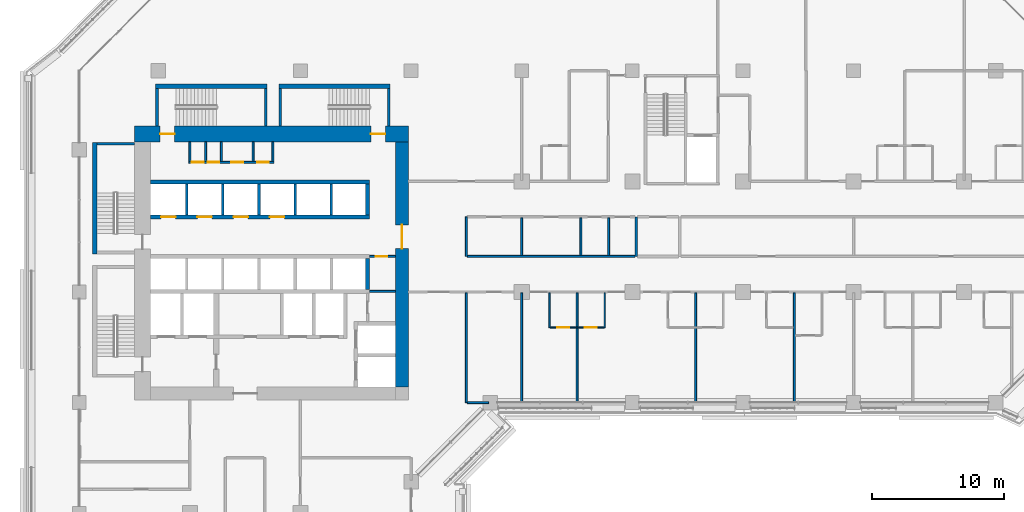
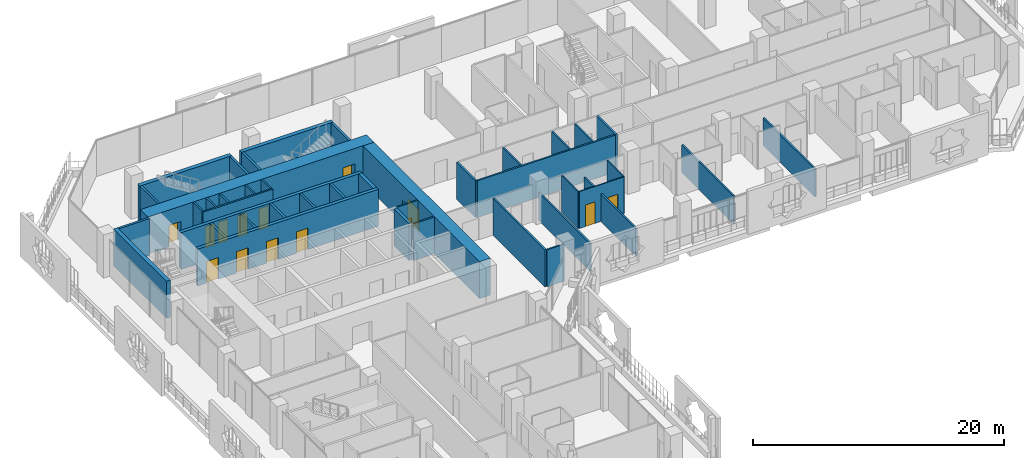
# One storey, part 14 of 25: 42 walls, 14 doors, 14 openings.
"""IFC4 building model written with IfcOpenShell, lengths in metres."""

from ifc_helpers import new_model, si_unit, direction, frame, frame_2d, origin, place, context, subcontext, project, spatial, rectangle, extrude, material, layer, layer_set, type_object, element, fill, save


model = new_model("IFC4")

# Units and contexts
model_context = context("Model", 3, precision=1e-05, world=origin(), true_north=direction((0.0, 1.0)))
body_context = subcontext(model_context, "Body", "Model", "MODEL_VIEW")
ifc_project = project(units=[si_unit("LENGTHUNIT", "METRE"), si_unit("AREAUNIT", "SQUARE_METRE"), si_unit("VOLUMEUNIT", "CUBIC_METRE"), si_unit("PLANEANGLEUNIT", "RADIAN"), si_unit("MASSUNIT", "GRAM", prefix="KILO")], contexts=[model_context])

# Site, building, storey
site_placement = place(None, origin())
site = spatial("IfcSite", under=ifc_project, at=site_placement, CompositionType="ELEMENT")
building_placement = place(site_placement, origin())
building = spatial("IfcBuilding", under=site, at=building_placement, Name="Kawkab Arch Medical Tower", CompositionType="ELEMENT")
storey_placement = place(building_placement, frame((0.0, 0.0, 140.800048828125)))
storey = spatial("IfcBuildingStorey", under=building, at=storey_placement, Name="L32", CompositionType="ELEMENT", Elevation=140.800048828125)

# Wall, opening, door
ifc_material_1 = material(Name="Concrete C60/75", Category="concrete")
ifc_layer_1 = layer(ifc_material_1, 1.0)
ifc_layer_set_1 = layer_set([ifc_layer_1], Name="Concrete C60/75")
wall_type_1 = type_object("IfcWallType", Name="Core ring wall 1000 C60/75", PredefinedType="SHEAR", material=ifc_layer_set_1)
wall_1_placement = place(storey_placement, frame((24.5, -24.0, 0.0), z_axis=(0.0, 0.0, 1.0), x_axis=(0.0, 1.0, 0.0)))
wall_1 = element("IfcWall", 1, at=wall_1_placement, inside=storey, type_object=wall_type_1, Name="L32 core wall", PredefinedType="SHEAR", context=body_context, shape_type="SweptSolid", body=[
    extrude(rectangle(XDim=18.60009765625, YDim=1.0, at=frame_2d((9.300048828125, 0.0))), origin(), (0.0, 0.0, 1.0), 3.599853515625),
])
opening_1_placement = place(wall_1_placement, frame((10.5, 0.0, 0.0)))
opening_1 = element("IfcOpeningElement", 2, at=opening_1_placement, cuts=wall_1, Name="Opening PD", PredefinedType="OPENING", context=body_context, shape_type="SweptSolid", body=[
    extrude(rectangle(XDim=1.800048828125, YDim=2.10009765625, at=frame_2d((0.89990234375, 1.050048828125))), frame((0.0, 0.510009765625, 0.0), z_axis=(0.0, -1.0, 0.0), x_axis=(1.0, 0.0, 0.0)), (0.0, 0.0, 1.0), 1.02001953125),
])
ifc_material_2 = material(Name="Hollow metal fire door leaf")
door_type_1 = type_object("IfcDoorType", Name="Core entrance doors 1800", OperationType="DOUBLE_DOOR_SINGLE_SWING", PredefinedType="DOOR", material=ifc_material_2)
door_1_placement = place(opening_1_placement, origin())
door_1 = element("IfcDoor", 3, at=door_1_placement, inside=storey, type_object=door_type_1, Name="L32 East entrance doors", OperationType="DOUBLE_DOOR_SINGLE_SWING", OverallHeight=2.10009765625, OverallWidth=1.800048828125, PredefinedType="DOOR", context=body_context, shape_type="SweptSolid", body=[
    extrude(rectangle(XDim=1.800048828125, YDim=2.10009765625, at=frame_2d((0.89990234375, 1.050048828125))), frame((0.0, 0.02490234375, 0.0), z_axis=(0.0, -1.0, 0.0), x_axis=(1.0, 0.0, 0.0)), (0.0, 0.0, 1.0), 0.050048828125),
])
fill(opening_1, door_1)

# Wall, openings, doors
ifc_material_3 = material(Name="Concrete C60/75", Category="concrete")
ifc_layer_2 = layer(ifc_material_3, 1.199951171875)
ifc_layer_set_2 = layer_set([ifc_layer_2], Name="Concrete C60/75")
wall_type_2 = type_object("IfcWallType", Name="Core ring wall 1200 C60/75", PredefinedType="SHEAR", material=ifc_layer_set_2)
wall_2_placement = place(storey_placement, frame((4.199951171875, -4.800048828125, 0.0), z_axis=(0.0, 0.0, 1.0), x_axis=(1.0, 0.0, 0.0)))
wall_2 = element("IfcWall", 4, at=wall_2_placement, inside=storey, type_object=wall_type_2, Name="L32 core wall", PredefinedType="SHEAR", context=body_context, shape_type="SweptSolid", body=[
    extrude(rectangle(XDim=20.800048828125, YDim=1.199951171875, at=frame_2d((10.39990234375, 0.0))), origin(), (0.0, 0.0, 1.0), 3.599853515625),
])
opening_2_placement = place(wall_2_placement, frame((1.949951171875, 0.0, 0.0)))
opening_2 = element("IfcOpeningElement", 5, at=opening_2_placement, cuts=wall_2, Name="Opening SD", PredefinedType="OPENING", context=body_context, shape_type="SweptSolid", body=[
    extrude(rectangle(XDim=1.10009765625, YDim=2.10009765625, at=frame_2d((0.550048828125, 1.050048828125))), frame((0.0, 0.60986328125, 0.0), z_axis=(0.0, -1.0, 0.0), x_axis=(1.0, 0.0, 0.0)), (0.0, 0.0, 1.0), 1.219970703125),
])
opening_3_placement = place(wall_2_placement, frame((17.949951171875, 0.0, 0.0)))
opening_3 = element("IfcOpeningElement", 6, at=opening_3_placement, cuts=wall_2, Name="Opening SD", PredefinedType="OPENING", context=body_context, shape_type="SweptSolid", body=[
    extrude(rectangle(XDim=1.10009765625, YDim=2.10009765625, at=frame_2d((0.550048828125, 1.050048828125))), frame((0.0, 0.60986328125, 0.0), z_axis=(0.0, -1.0, 0.0), x_axis=(1.0, 0.0, 0.0)), (0.0, 0.0, 1.0), 1.219970703125),
])
ifc_material_4 = material(Name="Hollow metal fire door leaf")
door_type_2 = type_object("IfcDoorType", Name="Exit stair door 1100", OperationType="SINGLE_SWING_LEFT", PredefinedType="DOOR", material=ifc_material_4)
door_2_placement = place(opening_2_placement, origin())
door_2 = element("IfcDoor", 7, at=door_2_placement, inside=storey, type_object=door_type_2, Name="L32 Exit stair ST3 door", OperationType="SINGLE_SWING_LEFT", OverallHeight=2.10009765625, OverallWidth=1.10009765625, PredefinedType="DOOR", context=body_context, shape_type="SweptSolid", body=[
    extrude(rectangle(XDim=1.10009765625, YDim=2.10009765625, at=frame_2d((0.550048828125, 1.050048828125))), frame((0.0, 0.02490234375, 0.0), z_axis=(0.0, -1.0, 0.0), x_axis=(1.0, 0.0, 0.0)), (0.0, 0.0, 1.0), 0.050048828125),
])
fill(opening_2, door_2)
door_3_placement = place(opening_3_placement, origin())
door_3 = element("IfcDoor", 8, at=door_3_placement, inside=storey, type_object=door_type_2, Name="L32 Exit stair ST4 door", OperationType="SINGLE_SWING_LEFT", OverallHeight=2.10009765625, OverallWidth=1.10009765625, PredefinedType="DOOR", context=body_context, shape_type="SweptSolid", body=[
    extrude(rectangle(XDim=1.10009765625, YDim=2.10009765625, at=frame_2d((0.550048828125, 1.050048828125))), frame((0.0, 0.02490234375, 0.0), z_axis=(0.0, -1.0, 0.0), x_axis=(1.0, 0.0, 0.0)), (0.0, 0.0, 1.0), 0.050048828125),
])
fill(opening_3, door_3)

# Wall
ifc_material_5 = material(Name="Gypsum board on steel studs", Category="steel")
ifc_layer_3 = layer(ifc_material_5, 0.14990234375)
ifc_layer_set_3 = layer_set([ifc_layer_3], Name="Gypsum board on steel studs")
wall_type_3 = type_object("IfcWallType", Name="Core room partition 150", PredefinedType="PARTITIONING", material=ifc_layer_set_3)
wall_3_placement = place(storey_placement, frame((22.050048828125, -16.75, 0.0), z_axis=(0.0, 0.0, 1.0), x_axis=(1.0, 0.0, 0.0)))
element("IfcWall", 9, at=wall_3_placement, inside=storey, type_object=wall_type_3, Name="L32 core room partition", PredefinedType="PARTITIONING", context=body_context, shape_type="SweptSolid", body=[
    extrude(rectangle(XDim=1.949951171875, YDim=0.14990234375, at=frame_2d((0.97509765625, 0.0))), origin(), (0.0, 0.0, 1.0), 3.599853515625),
])

# Wall, opening, door
wall_4_placement = place(storey_placement, frame((22.050048828125, -14.10009765625, 0.0), z_axis=(0.0, 0.0, 1.0), x_axis=(1.0, 0.0, 0.0)))
wall_4 = element("IfcWall", 10, at=wall_4_placement, inside=storey, type_object=wall_type_3, Name="L32 core room partition", PredefinedType="PARTITIONING", context=body_context, shape_type="SweptSolid", body=[
    extrude(rectangle(XDim=1.949951171875, YDim=0.14990234375, at=frame_2d((0.97509765625, 0.0))), origin(), (0.0, 0.0, 1.0), 3.599853515625),
])
opening_4_placement = place(wall_4_placement, frame((0.449951171875, 0.0, 0.0)))
opening_4 = element("IfcOpeningElement", 11, at=opening_4_placement, cuts=wall_4, Name="Opening RD", PredefinedType="OPENING", context=body_context, shape_type="SweptSolid", body=[
    extrude(rectangle(XDim=0.89990234375, YDim=2.10009765625, at=frame_2d((0.449951171875, 1.050048828125))), frame((0.0, 0.0849609375, 0.0), z_axis=(0.0, -1.0, 0.0), x_axis=(1.0, 0.0, 0.0)), (0.0, 0.0, 1.0), 0.169921875),
])
ifc_material_6 = material(Name="Hollow metal fire door leaf")
door_type_3 = type_object("IfcDoorType", Name="Core room door 900", OperationType="SINGLE_SWING_LEFT", PredefinedType="DOOR", material=ifc_material_6)
door_4_placement = place(opening_4_placement, origin())
door_4 = element("IfcDoor", 12, at=door_4_placement, inside=storey, type_object=door_type_3, Name="L32 Medical gas plant room door", OperationType="SINGLE_SWING_LEFT", OverallHeight=2.10009765625, OverallWidth=0.89990234375, PredefinedType="DOOR", context=body_context, shape_type="SweptSolid", body=[
    extrude(rectangle(XDim=0.89990234375, YDim=2.10009765625, at=frame_2d((0.449951171875, 1.050048828125))), frame((0.0, 0.02490234375, 0.0), z_axis=(0.0, -1.0, 0.0), x_axis=(1.0, 0.0, 0.0)), (0.0, 0.0, 1.0), 0.050048828125),
])
fill(opening_4, door_4)

# Wall, openings, doors
wall_5_placement = place(storey_placement, frame((8.324951171875, -6.949951171875, 0.0), z_axis=(0.0, 0.0, 1.0), x_axis=(1.0, 0.0, 0.0)))
wall_5 = element("IfcWall", 13, at=wall_5_placement, inside=storey, type_object=wall_type_3, Name="L32 core room partition", PredefinedType="PARTITIONING", context=body_context, shape_type="SweptSolid", body=[
    extrude(rectangle(XDim=6.449951171875, YDim=0.14990234375, at=frame_2d((3.22509765625, 0.0))), origin(), (0.0, 0.0, 1.0), 3.599853515625),
])
opening_5_placement = place(wall_5_placement, frame((0.22509765625, 0.0, 0.0)))
opening_5 = element("IfcOpeningElement", 14, at=opening_5_placement, cuts=wall_5, Name="Opening RD", PredefinedType="OPENING", context=body_context, shape_type="SweptSolid", body=[
    extrude(rectangle(XDim=0.89990234375, YDim=2.10009765625, at=frame_2d((0.449951171875, 1.050048828125))), frame((0.0, 0.0849609375, 0.0), z_axis=(0.0, -1.0, 0.0), x_axis=(1.0, 0.0, 0.0)), (0.0, 0.0, 1.0), 0.169921875),
])
opening_6_placement = place(wall_5_placement, frame((1.425048828125, 0.0, 0.0)))
opening_6 = element("IfcOpeningElement", 15, at=opening_6_placement, cuts=wall_5, Name="Opening RD", PredefinedType="OPENING", context=body_context, shape_type="SweptSolid", body=[
    extrude(rectangle(XDim=0.89990234375, YDim=2.10009765625, at=frame_2d((0.449951171875, 1.050048828125))), frame((0.0, 0.0849609375, 0.0), z_axis=(0.0, -1.0, 0.0), x_axis=(1.0, 0.0, 0.0)), (0.0, 0.0, 1.0), 0.169921875),
])
opening_7_placement = place(wall_5_placement, frame((3.22509765625, 0.0, 0.0)))
opening_7 = element("IfcOpeningElement", 16, at=opening_7_placement, cuts=wall_5, Name="Opening RD", PredefinedType="OPENING", context=body_context, shape_type="SweptSolid", body=[
    extrude(rectangle(XDim=0.89990234375, YDim=2.10009765625, at=frame_2d((0.449951171875, 1.050048828125))), frame((0.0, 0.0849609375, 0.0), z_axis=(0.0, -1.0, 0.0), x_axis=(1.0, 0.0, 0.0)), (0.0, 0.0, 1.0), 0.169921875),
])
opening_8_placement = place(wall_5_placement, frame((5.175048828125, 0.0, 0.0)))
opening_8 = element("IfcOpeningElement", 17, at=opening_8_placement, cuts=wall_5, Name="Opening RD", PredefinedType="OPENING", context=body_context, shape_type="SweptSolid", body=[
    extrude(rectangle(XDim=0.89990234375, YDim=2.10009765625, at=frame_2d((0.449951171875, 1.050048828125))), frame((0.0, 0.0849609375, 0.0), z_axis=(0.0, -1.0, 0.0), x_axis=(1.0, 0.0, 0.0)), (0.0, 0.0, 1.0), 0.169921875),
])
door_5_placement = place(opening_5_placement, origin())
door_5 = element("IfcDoor", 18, at=door_5_placement, inside=storey, type_object=door_type_3, Name="L32 Electrical riser room door", OperationType="SINGLE_SWING_LEFT", OverallHeight=2.10009765625, OverallWidth=0.89990234375, PredefinedType="DOOR", context=body_context, shape_type="SweptSolid", body=[
    extrude(rectangle(XDim=0.89990234375, YDim=2.10009765625, at=frame_2d((0.449951171875, 1.050048828125))), frame((0.0, 0.02490234375, 0.0), z_axis=(0.0, -1.0, 0.0), x_axis=(1.0, 0.0, 0.0)), (0.0, 0.0, 1.0), 0.050048828125),
])
fill(opening_5, door_5)
door_6_placement = place(opening_6_placement, origin())
door_6 = element("IfcDoor", 19, at=door_6_placement, inside=storey, type_object=door_type_3, Name="L32 Medication store door", OperationType="SINGLE_SWING_LEFT", OverallHeight=2.10009765625, OverallWidth=0.89990234375, PredefinedType="DOOR", context=body_context, shape_type="SweptSolid", body=[
    extrude(rectangle(XDim=0.89990234375, YDim=2.10009765625, at=frame_2d((0.449951171875, 1.050048828125))), frame((0.0, 0.02490234375, 0.0), z_axis=(0.0, -1.0, 0.0), x_axis=(1.0, 0.0, 0.0)), (0.0, 0.0, 1.0), 0.050048828125),
])
fill(opening_6, door_6)
door_7_placement = place(opening_7_placement, origin())
door_7 = element("IfcDoor", 20, at=door_7_placement, inside=storey, type_object=door_type_3, Name="L32 Clean utility room door", OperationType="SINGLE_SWING_LEFT", OverallHeight=2.10009765625, OverallWidth=0.89990234375, PredefinedType="DOOR", context=body_context, shape_type="SweptSolid", body=[
    extrude(rectangle(XDim=0.89990234375, YDim=2.10009765625, at=frame_2d((0.449951171875, 1.050048828125))), frame((0.0, 0.02490234375, 0.0), z_axis=(0.0, -1.0, 0.0), x_axis=(1.0, 0.0, 0.0)), (0.0, 0.0, 1.0), 0.050048828125),
])
fill(opening_7, door_7)
door_8_placement = place(opening_8_placement, origin())
door_8 = element("IfcDoor", 21, at=door_8_placement, inside=storey, type_object=door_type_3, Name="L32 Dirty utility room door", OperationType="SINGLE_SWING_LEFT", OverallHeight=2.10009765625, OverallWidth=0.89990234375, PredefinedType="DOOR", context=body_context, shape_type="SweptSolid", body=[
    extrude(rectangle(XDim=0.89990234375, YDim=2.10009765625, at=frame_2d((0.449951171875, 1.050048828125))), frame((0.0, 0.02490234375, 0.0), z_axis=(0.0, -1.0, 0.0), x_axis=(1.0, 0.0, 0.0)), (0.0, 0.0, 1.0), 0.050048828125),
])
fill(opening_8, door_8)

# Walls
for number, where, z_axis, x_axis, name in (
    (22, (8.39990234375, -6.875, 0.0), (0.0, 0.0, 1.0), (0.0, 1.0, 0.0), "L32 core room partition"),
    (23, (9.60009765625, -6.875, 0.0), (0.0, 0.0, 1.0), (0.0, 1.0, 0.0), "L32 core room partition"),
    (24, (10.800048828125, -6.875, 0.0), (0.0, 0.0, 1.0), (0.0, 1.0, 0.0), "L32 core room partition"),
    (25, (13.199951171875, -6.875, 0.0), (0.0, 0.0, 1.0), (0.0, 1.0, 0.0), "L32 core room partition"),
    (26, (14.699951171875, -6.875, 0.0), (0.0, 0.0, 1.0), (0.0, 1.0, 0.0), "L32 core room partition"),
):
    element("IfcWall", number, at=place(storey_placement, frame(where, z_axis=z_axis, x_axis=x_axis)), inside=storey, type_object=wall_type_3, Name=name, PredefinedType="PARTITIONING", context=body_context, shape_type="SweptSolid", body=[
        extrude(rectangle(XDim=1.47509765625, YDim=0.14990234375, at=frame_2d((0.737548828125, 0.0))), origin(), (0.0, 0.0, 1.0), 3.599853515625),
    ])
ifc_material_7 = material(Name="Concrete C60/75", Category="concrete")
ifc_layer_4 = layer(ifc_material_7, 0.300048828125)
ifc_layer_set_4 = layer_set([ifc_layer_4], Name="Concrete C60/75")
wall_type_4 = type_object("IfcWallType", Name="Core shear wall 300 C60/75", PredefinedType="SHEAR", material=ifc_layer_set_4)
wall_6_placement = place(storey_placement, frame((5.39990234375, -8.449951171875, 0.0), z_axis=(0.0, 0.0, 1.0), x_axis=(1.0, 0.0, 0.0)))
element("IfcWall", 27, at=wall_6_placement, inside=storey, type_object=wall_type_4, Name="L32 core shear wall", PredefinedType="SHEAR", context=body_context, shape_type="SweptSolid", body=[
    extrude(rectangle(XDim=16.650146484375, YDim=0.300048828125, at=frame_2d((8.3251953125, 0.0))), origin(), (0.0, 0.0, 1.0), 3.599853515625),
])

# Wall, openings, doors
wall_7_placement = place(storey_placement, frame((5.39990234375, -11.10009765625, 0.0), z_axis=(0.0, 0.0, 1.0), x_axis=(1.0, 0.0, 0.0)))
wall_7 = element("IfcWall", 28, at=wall_7_placement, inside=storey, type_object=wall_type_4, Name="L32 core shear wall", PredefinedType="SHEAR", context=body_context, shape_type="SweptSolid", body=[
    extrude(rectangle(XDim=16.650146484375, YDim=0.300048828125, at=frame_2d((8.3251953125, 0.0))), origin(), (0.0, 0.0, 1.0), 3.599853515625),
])
opening_9_placement = place(wall_7_placement, frame((0.824951171875, 0.0, 0.0)))
opening_9 = element("IfcOpeningElement", 29, at=opening_9_placement, cuts=wall_7, Name="Opening LD1", PredefinedType="OPENING", context=body_context, shape_type="SweptSolid", body=[
    extrude(rectangle(XDim=1.10009765625, YDim=2.10009765625, at=frame_2d((0.550048828125, 1.050048828125))), frame((0.0, 0.159912109375, 0.0), z_axis=(0.0, -1.0, 0.0), x_axis=(1.0, 0.0, 0.0)), (0.0, 0.0, 1.0), 0.320068359375),
])
opening_10_placement = place(wall_7_placement, frame((3.574951171875, 0.0, 0.0)))
opening_10 = element("IfcOpeningElement", 30, at=opening_10_placement, cuts=wall_7, Name="Opening LD1", PredefinedType="OPENING", context=body_context, shape_type="SweptSolid", body=[
    extrude(rectangle(XDim=1.10009765625, YDim=2.10009765625, at=frame_2d((0.550048828125, 1.050048828125))), frame((0.0, 0.159912109375, 0.0), z_axis=(0.0, -1.0, 0.0), x_axis=(1.0, 0.0, 0.0)), (0.0, 0.0, 1.0), 0.320068359375),
])
opening_11_placement = place(wall_7_placement, frame((6.324951171875, 0.0, 0.0)))
opening_11 = element("IfcOpeningElement", 31, at=opening_11_placement, cuts=wall_7, Name="Opening LD1", PredefinedType="OPENING", context=body_context, shape_type="SweptSolid", body=[
    extrude(rectangle(XDim=1.10009765625, YDim=2.10009765625, at=frame_2d((0.550048828125, 1.050048828125))), frame((0.0, 0.159912109375, 0.0), z_axis=(0.0, -1.0, 0.0), x_axis=(1.0, 0.0, 0.0)), (0.0, 0.0, 1.0), 0.320068359375),
])
opening_12_placement = place(wall_7_placement, frame((9.074951171875, 0.0, 0.0)))
opening_12 = element("IfcOpeningElement", 32, at=opening_12_placement, cuts=wall_7, Name="Opening LD1", PredefinedType="OPENING", context=body_context, shape_type="SweptSolid", body=[
    extrude(rectangle(XDim=1.10009765625, YDim=2.10009765625, at=frame_2d((0.550048828125, 1.050048828125))), frame((0.0, 0.159912109375, 0.0), z_axis=(0.0, -1.0, 0.0), x_axis=(1.0, 0.0, 0.0)), (0.0, 0.0, 1.0), 0.320068359375),
])
ifc_material_8 = material(Name="Stainless steel lift door leaf", Category="steel")
door_type_4 = type_object("IfcDoorType", Name="Lift landing door 1100", OperationType="DOUBLE_DOOR_SLIDING", PredefinedType="DOOR", material=ifc_material_8)
door_9_placement = place(opening_9_placement, origin())
door_9 = element("IfcDoor", 33, at=door_9_placement, inside=storey, type_object=door_type_4, Name="L32 Lift landing door LP1", OperationType="DOUBLE_DOOR_SLIDING", OverallHeight=2.10009765625, OverallWidth=1.10009765625, PredefinedType="DOOR", context=body_context, shape_type="SweptSolid", body=[
    extrude(rectangle(XDim=1.10009765625, YDim=2.10009765625, at=frame_2d((0.550048828125, 1.050048828125))), frame((0.0, 0.02490234375, 0.0), z_axis=(0.0, -1.0, 0.0), x_axis=(1.0, 0.0, 0.0)), (0.0, 0.0, 1.0), 0.050048828125),
])
fill(opening_9, door_9)
door_10_placement = place(opening_10_placement, origin())
door_10 = element("IfcDoor", 34, at=door_10_placement, inside=storey, type_object=door_type_4, Name="L32 Lift landing door LP2", OperationType="DOUBLE_DOOR_SLIDING", OverallHeight=2.10009765625, OverallWidth=1.10009765625, PredefinedType="DOOR", context=body_context, shape_type="SweptSolid", body=[
    extrude(rectangle(XDim=1.10009765625, YDim=2.10009765625, at=frame_2d((0.550048828125, 1.050048828125))), frame((0.0, 0.02490234375, 0.0), z_axis=(0.0, -1.0, 0.0), x_axis=(1.0, 0.0, 0.0)), (0.0, 0.0, 1.0), 0.050048828125),
])
fill(opening_10, door_10)
door_11_placement = place(opening_11_placement, origin())
door_11 = element("IfcDoor", 35, at=door_11_placement, inside=storey, type_object=door_type_4, Name="L32 Lift landing door LP3", OperationType="DOUBLE_DOOR_SLIDING", OverallHeight=2.10009765625, OverallWidth=1.10009765625, PredefinedType="DOOR", context=body_context, shape_type="SweptSolid", body=[
    extrude(rectangle(XDim=1.10009765625, YDim=2.10009765625, at=frame_2d((0.550048828125, 1.050048828125))), frame((0.0, 0.02490234375, 0.0), z_axis=(0.0, -1.0, 0.0), x_axis=(1.0, 0.0, 0.0)), (0.0, 0.0, 1.0), 0.050048828125),
])
fill(opening_11, door_11)
door_12_placement = place(opening_12_placement, origin())
door_12 = element("IfcDoor", 36, at=door_12_placement, inside=storey, type_object=door_type_4, Name="L32 Lift landing door LP4", OperationType="DOUBLE_DOOR_SLIDING", OverallHeight=2.10009765625, OverallWidth=1.10009765625, PredefinedType="DOOR", context=body_context, shape_type="SweptSolid", body=[
    extrude(rectangle(XDim=1.10009765625, YDim=2.10009765625, at=frame_2d((0.550048828125, 1.050048828125))), frame((0.0, 0.02490234375, 0.0), z_axis=(0.0, -1.0, 0.0), x_axis=(1.0, 0.0, 0.0)), (0.0, 0.0, 1.0), 0.050048828125),
])
fill(opening_12, door_12)

# Walls
wall_8_placement = place(storey_placement, frame((21.89990234375, -10.949951171875, 0.0), z_axis=(0.0, 0.0, 1.0), x_axis=(0.0, 1.0, 0.0)))
element("IfcWall", 37, at=wall_8_placement, inside=storey, type_object=wall_type_4, Name="L32 core shear wall", PredefinedType="SHEAR", context=body_context, shape_type="SweptSolid", body=[
    extrude(rectangle(XDim=2.349853515625, YDim=0.300048828125, at=frame_2d((1.1748046875, 0.0))), origin(), (0.0, 0.0, 1.0), 3.599853515625),
])
wall_9_placement = place(storey_placement, frame((21.89990234375, -16.60009765625, 0.0), z_axis=(0.0, 0.0, 1.0), x_axis=(0.0, 1.0, 0.0)))
element("IfcWall", 38, at=wall_9_placement, inside=storey, type_object=wall_type_4, Name="L32 core shear wall", PredefinedType="SHEAR", context=body_context, shape_type="SweptSolid", body=[
    extrude(rectangle(XDim=2.35009765625, YDim=0.300048828125, at=frame_2d((1.175048828125, 0.0))), origin(), (0.0, 0.0, 1.0), 3.599853515625),
])
ifc_material_9 = material(Name="Dense concrete blockwork", Category="masonry")
ifc_layer_5 = layer(ifc_material_9, 0.199951171875)
ifc_layer_set_5 = layer_set([ifc_layer_5], Name="Dense concrete blockwork")
wall_type_5 = type_object("IfcWallType", Name="Lift shaft partition 200", PredefinedType="PARTITIONING", material=ifc_layer_set_5)
for number, where, z_axis, x_axis, name in (
    (39, (8.14990234375, -10.949951171875, 0.0), (0.0, 0.0, 1.0), (0.0, 1.0, 0.0), "L32 lift shaft partition"),
    (40, (10.89990234375, -10.949951171875, 0.0), (0.0, 0.0, 1.0), (0.0, 1.0, 0.0), "L32 lift shaft partition"),
    (41, (13.64990234375, -10.949951171875, 0.0), (0.0, 0.0, 1.0), (0.0, 1.0, 0.0), "L32 lift shaft partition"),
    (42, (16.39990234375, -10.949951171875, 0.0), (0.0, 0.0, 1.0), (0.0, 1.0, 0.0), "L32 lift shaft partition"),
    (43, (19.14990234375, -10.949951171875, 0.0), (0.0, 0.0, 1.0), (0.0, 1.0, 0.0), "L32 lift shaft partition"),
):
    element("IfcWall", number, at=place(storey_placement, frame(where, z_axis=z_axis, x_axis=x_axis)), inside=storey, type_object=wall_type_5, Name=name, PredefinedType="PARTITIONING", context=body_context, shape_type="SweptSolid", body=[
        extrude(rectangle(XDim=2.349853515625, YDim=0.199951171875, at=frame_2d((1.1748046875, 0.0))), origin(), (0.0, 0.0, 1.0), 3.599853515625),
    ])

# Wall, openings, doors
ifc_material_10 = material(Name="Gypsum board partition on steel studs", Category="steel")
ifc_layer_6 = layer(ifc_material_10, 0.10009765625)
ifc_layer_set_6 = layer_set([ifc_layer_6], Name="Gypsum board partition on steel studs")
wall_type_6 = type_object("IfcWallType", Name="Partition 100", PredefinedType="PARTITIONING", material=ifc_layer_set_6)
wall_10_placement = place(storey_placement, frame((35.75, -19.5, 0.0), z_axis=(0.0, 0.0, 1.0), x_axis=(1.0, 0.0, 0.0)))
wall_10 = element("IfcWall", 44, at=wall_10_placement, inside=storey, type_object=wall_type_6, Name="Partition 100 w006", PredefinedType="PARTITIONING", context=body_context, shape_type="SweptSolid", body=[
    extrude(rectangle(XDim=4.10009765625, YDim=0.10009765625, at=frame_2d((2.050048828125, 0.0))), origin(), (0.0, 0.0, 1.0), 3.599853515625),
])
opening_13_placement = place(wall_10_placement, frame((0.550048828125, 0.0, 0.0)))
opening_13 = element("IfcOpeningElement", 45, at=opening_13_placement, cuts=wall_10, Name="Opening W27-008", PredefinedType="OPENING", context=body_context, shape_type="SweptSolid", body=[
    extrude(rectangle(XDim=0.89990234375, YDim=2.10009765625, at=frame_2d((0.449951171875, 1.050048828125))), frame((0.0, 0.06005859375, 0.0), z_axis=(0.0, -1.0, 0.0), x_axis=(1.0, 0.0, 0.0)), (0.0, 0.0, 1.0), 0.1201171875),
])
opening_14_placement = place(wall_10_placement, frame((2.64990234375, 0.0, 0.0)))
opening_14 = element("IfcOpeningElement", 46, at=opening_14_placement, cuts=wall_10, Name="Opening W27-009", PredefinedType="OPENING", context=body_context, shape_type="SweptSolid", body=[
    extrude(rectangle(XDim=0.89990234375, YDim=2.10009765625, at=frame_2d((0.449951171875, 1.050048828125))), frame((0.0, 0.06005859375, 0.0), z_axis=(0.0, -1.0, 0.0), x_axis=(1.0, 0.0, 0.0)), (0.0, 0.0, 1.0), 0.1201171875),
])
ifc_material_11 = material(Name="Timber door leaf", Category="wood")
door_type_5 = type_object("IfcDoorType", Name="Single door 900x2100", OperationType="NOTDEFINED", PredefinedType="DOOR", material=ifc_material_11)
door_13_placement = place(opening_13_placement, origin())
door_13 = element("IfcDoor", 47, at=door_13_placement, inside=storey, type_object=door_type_5, Name="Door W27-008", OperationType="SINGLE_SWING_RIGHT", OverallHeight=2.10009765625, OverallWidth=0.89990234375, PredefinedType="DOOR", context=body_context, shape_type="SweptSolid", body=[
    extrude(rectangle(XDim=0.89990234375, YDim=2.10009765625, at=frame_2d((0.449951171875, 1.050048828125))), frame((0.0, 0.02490234375, 0.0), z_axis=(0.0, -1.0, 0.0), x_axis=(1.0, 0.0, 0.0)), (0.0, 0.0, 1.0), 0.050048828125),
])
fill(opening_13, door_13)
door_14_placement = place(opening_14_placement, origin())
door_14 = element("IfcDoor", 48, at=door_14_placement, inside=storey, type_object=door_type_5, Name="Door W27-009", OperationType="SINGLE_SWING_LEFT", OverallHeight=2.10009765625, OverallWidth=0.89990234375, PredefinedType="DOOR", context=body_context, shape_type="SweptSolid", body=[
    extrude(rectangle(XDim=0.89990234375, YDim=2.10009765625, at=frame_2d((0.449951171875, 1.050048828125))), frame((0.0, 0.02490234375, 0.0), z_axis=(0.0, -1.0, 0.0), x_axis=(1.0, 0.0, 0.0)), (0.0, 0.0, 1.0), 0.050048828125),
])
fill(opening_14, door_14)

# Walls
for number, where, z_axis, x_axis, name in (
    (49, (35.699951171875, -19.5, 0.0), (0.0, 0.0, 1.0), (0.0, 1.0, 0.0), "Partition 100 w018"),
    (50, (39.89990234375, -19.5, 0.0), (0.0, 0.0, 1.0), (0.0, 1.0, 0.0), "Partition 100 w019"),
):
    element("IfcWall", number, at=place(storey_placement, frame(where, z_axis=z_axis, x_axis=x_axis)), inside=storey, type_object=wall_type_6, Name=name, PredefinedType="PARTITIONING", context=body_context, shape_type="SweptSolid", body=[
        extrude(rectangle(XDim=2.625, YDim=0.10009765625, at=frame_2d((1.3125, 0.0))), origin(), (0.0, 0.0, 1.0), 3.599853515625),
    ])
ifc_material_12 = material(Name="Gypsum board partition on steel studs, mineral wool", Category="steel")
ifc_layer_7 = layer(ifc_material_12, 0.14990234375)
ifc_layer_set_7 = layer_set([ifc_layer_7], Name="Gypsum board partition on steel studs, mineral wool")
wall_type_7 = type_object("IfcWallType", Name="Partition 150", PredefinedType="PARTITIONING", material=ifc_layer_set_7)
wall_11_placement = place(storey_placement, frame((29.47509765625, -25.199951171875, 0.0), z_axis=(0.0, 0.0, 1.0), x_axis=(1.0, 0.0, 0.0)))
element("IfcWall", 51, at=wall_11_placement, inside=storey, type_object=wall_type_7, Name="Partition 150 w045", PredefinedType="PARTITIONING", context=body_context, shape_type="SweptSolid", body=[
    extrude(rectangle(XDim=1.61181640625, YDim=0.14990234375, at=frame_2d((0.805908203125, 0.0))), origin(), (0.0, 0.0, 1.0), 3.599853515625),
])
wall_12_placement = place(storey_placement, frame((29.47509765625, -14.10009765625, 0.0), z_axis=(0.0, 0.0, 1.0), x_axis=(1.0, 0.0, 0.0)))
element("IfcWall", 52, at=wall_12_placement, inside=storey, type_object=wall_type_7, Name="Partition 150 w047", PredefinedType="PARTITIONING", context=body_context, shape_type="SweptSolid", body=[
    extrude(rectangle(XDim=12.724853515625, YDim=0.14990234375, at=frame_2d((6.3623046875, 0.0))), origin(), (0.0, 0.0, 1.0), 3.599853515625),
])
wall_13_placement = place(storey_placement, frame((29.39990234375, -25.199951171875, 0.0), z_axis=(0.0, 0.0, 1.0), x_axis=(0.0, 1.0, 0.0)))
element("IfcWall", 53, at=wall_13_placement, inside=storey, type_object=wall_type_7, Name="Partition 150 w065", PredefinedType="PARTITIONING", context=body_context, shape_type="SweptSolid", body=[
    extrude(rectangle(XDim=8.324951171875, YDim=0.14990234375, at=frame_2d((4.16259765625, 0.0))), origin(), (0.0, 0.0, 1.0), 3.599853515625),
])
wall_14_placement = place(storey_placement, frame((29.39990234375, -14.10009765625, 0.0), z_axis=(0.0, 0.0, 1.0), x_axis=(0.0, 1.0, 0.0)))
element("IfcWall", 54, at=wall_14_placement, inside=storey, type_object=wall_type_7, Name="Partition 150 w066", PredefinedType="PARTITIONING", context=body_context, shape_type="SweptSolid", body=[
    extrude(rectangle(XDim=3.0, YDim=0.14990234375, at=frame_2d((1.5, 0.0))), origin(), (0.0, 0.0, 1.0), 3.599853515625),
])
wall_15_placement = place(storey_placement, frame((33.60009765625, -25.1201171875, 0.0), z_axis=(0.0, 0.0, 1.0), x_axis=(0.0, 1.0, 0.0)))
element("IfcWall", 55, at=wall_15_placement, inside=storey, type_object=wall_type_7, Name="Partition 150 w067", PredefinedType="PARTITIONING", context=body_context, shape_type="SweptSolid", body=[
    extrude(rectangle(XDim=8.2451171875, YDim=0.14990234375, at=frame_2d((4.12255859375, 0.0))), origin(), (0.0, 0.0, 1.0), 2.699951171875),
])
wall_16_placement = place(storey_placement, frame((33.60009765625, -14.02490234375, 0.0), z_axis=(0.0, 0.0, 1.0), x_axis=(0.0, 1.0, 0.0)))
element("IfcWall", 56, at=wall_16_placement, inside=storey, type_object=wall_type_7, Name="Partition 150 w068", PredefinedType="PARTITIONING", context=body_context, shape_type="SweptSolid", body=[
    extrude(rectangle(XDim=2.849853515625, YDim=0.14990234375, at=frame_2d((1.4248046875, 0.0))), origin(), (0.0, 0.0, 1.0), 3.599853515625),
])
wall_17_placement = place(storey_placement, frame((37.800048828125, -25.1201171875, 0.0), z_axis=(0.0, 0.0, 1.0), x_axis=(0.0, 1.0, 0.0)))
element("IfcWall", 57, at=wall_17_placement, inside=storey, type_object=wall_type_7, Name="Partition 150 w071", PredefinedType="PARTITIONING", context=body_context, shape_type="SweptSolid", body=[
    extrude(rectangle(XDim=8.2451171875, YDim=0.14990234375, at=frame_2d((4.12255859375, 0.0))), origin(), (0.0, 0.0, 1.0), 2.699951171875),
])
for number, where, z_axis, x_axis, name in (
    (58, (38.10009765625, -14.02490234375, 0.0), (0.0, 0.0, 1.0), (0.0, 1.0, 0.0), "Partition 150 w072"),
    (59, (40.199951171875, -14.02490234375, 0.0), (0.0, 0.0, 1.0), (0.0, 1.0, 0.0), "Partition 150 w075"),
):
    element("IfcWall", number, at=place(storey_placement, frame(where, z_axis=z_axis, x_axis=x_axis)), inside=storey, type_object=wall_type_7, Name=name, PredefinedType="PARTITIONING", context=body_context, shape_type="SweptSolid", body=[
        extrude(rectangle(XDim=2.849853515625, YDim=0.14990234375, at=frame_2d((1.4248046875, 0.0))), origin(), (0.0, 0.0, 1.0), 3.599853515625),
    ])
for number, where, z_axis, x_axis, name in (
    (60, (46.800048828125, -25.1201171875, 0.0), (0.0, 0.0, 1.0), (0.0, 1.0, 0.0), "Partition 150 w076"),
    (61, (54.300048828125, -25.1201171875, 0.0), (0.0, 0.0, 1.0), (0.0, 1.0, 0.0), "Partition 150 w079"),
):
    element("IfcWall", number, at=place(storey_placement, frame(where, z_axis=z_axis, x_axis=x_axis)), inside=storey, type_object=wall_type_7, Name=name, PredefinedType="PARTITIONING", context=body_context, shape_type="SweptSolid", body=[
        extrude(rectangle(XDim=8.2451171875, YDim=0.14990234375, at=frame_2d((4.12255859375, 0.0))), origin(), (0.0, 0.0, 1.0), 2.699951171875),
    ])
ifc_material_13 = material(Name="Fire-rated gypsum board partition on steel studs", Category="steel")
ifc_layer_8 = layer(ifc_material_13, 0.199951171875)
ifc_layer_set_8 = layer_set([ifc_layer_8], Name="Fire-rated gypsum board partition on steel studs")
wall_type_8 = type_object("IfcWallType", Name="Protected partition 200", PredefinedType="PARTITIONING", material=ifc_layer_set_8)
wall_18_placement = place(storey_placement, frame((42.300048828125, -14.10009765625, 0.0), z_axis=(0.0, 0.0, 1.0), x_axis=(0.0, 1.0, 0.0)))
element("IfcWall", 62, at=wall_18_placement, inside=storey, type_object=wall_type_8, Name="Protected partition 200 w093", PredefinedType="PARTITIONING", context=body_context, shape_type="SweptSolid", body=[
    extrude(rectangle(XDim=3.0, YDim=0.199951171875, at=frame_2d((1.5, 0.0))), origin(), (0.0, 0.0, 1.0), 3.599853515625),
])
ifc_material_14 = material(Name="Concrete C50/60", Category="concrete")
ifc_layer_9 = layer(ifc_material_14, 0.199951171875)
ifc_layer_set_9 = layer_set([ifc_layer_9], Name="Concrete C50/60")
wall_type_9 = type_object("IfcWallType", Name="Stair enclosure wall 200 C50/60", PredefinedType="SHEAR", material=ifc_layer_set_9)
for number, where, z_axis, x_axis, name in (
    (63, (1.35009765625, -5.550048828125, 0.0), (0.0, 0.0, 1.0), (1.0, 0.0, 0.0), "L32 stair enclosure wall"),
    (64, (5.89990234375, -4.199951171875, 0.0), (0.0, 0.0, 1.0), (0.0, 1.0, 0.0), "L32 stair enclosure wall"),
    (65, (14.14990234375, -4.199951171875, 0.0), (0.0, 0.0, 1.0), (0.0, 1.0, 0.0), "L32 stair enclosure wall"),
    (66, (15.25, -4.199951171875, 0.0), (0.0, 0.0, 1.0), (0.0, 1.0, 0.0), "L32 stair enclosure wall"),
    (67, (23.5, -4.199951171875, 0.0), (0.0, 0.0, 1.0), (0.0, 1.0, 0.0), "L32 stair enclosure wall"),
):
    element("IfcWall", number, at=place(storey_placement, frame(where, z_axis=z_axis, x_axis=x_axis)), inside=storey, type_object=wall_type_9, Name=name, PredefinedType="SHEAR", context=body_context, shape_type="SweptSolid", body=[
        extrude(rectangle(XDim=2.849853515625, YDim=0.199951171875, at=frame_2d((1.4248046875, 0.0))), origin(), (0.0, 0.0, 1.0), 3.599853515625),
    ])
ifc_material_15 = material(Name="Concrete C50/60", Category="concrete")
ifc_layer_10 = layer(ifc_material_15, 0.35009765625)
ifc_layer_set_10 = layer_set([ifc_layer_10], Name="Concrete C50/60")
wall_type_10 = type_object("IfcWallType", Name="Stair enclosure wall 350 C50/60", PredefinedType="SHEAR", material=ifc_layer_set_10)
for number, where, z_axis, x_axis, name in (
    (68, (1.175048828125, -13.89990234375, 0.0), (0.0, 0.0, 1.0), (0.0, 1.0, 0.0), "L32 stair enclosure wall"),
    (69, (5.800048828125, -1.175048828125, 0.0), (0.0, 0.0, 1.0), (1.0, 0.0, 0.0), "L32 stair enclosure wall"),
):
    element("IfcWall", number, at=place(storey_placement, frame(where, z_axis=z_axis, x_axis=x_axis)), inside=storey, type_object=wall_type_10, Name=name, PredefinedType="SHEAR", context=body_context, shape_type="SweptSolid", body=[
        extrude(rectangle(XDim=8.449951171875, YDim=0.35009765625, at=frame_2d((4.22509765625, 0.0))), origin(), (0.0, 0.0, 1.0), 3.599853515625),
    ])
wall_19_placement = place(storey_placement, frame((15.14990234375, -1.175048828125, 0.0), z_axis=(0.0, 0.0, 1.0), x_axis=(1.0, 0.0, 0.0)))
element("IfcWall", 70, at=wall_19_placement, inside=storey, type_object=wall_type_10, Name="L32 stair enclosure wall", PredefinedType="SHEAR", context=body_context, shape_type="SweptSolid", body=[
    extrude(rectangle(XDim=8.4501953125, YDim=0.35009765625, at=frame_2d((4.22509765625, 0.0))), origin(), (0.0, 0.0, 1.0), 3.599853515625),
])

save(model, "model.ifc")
